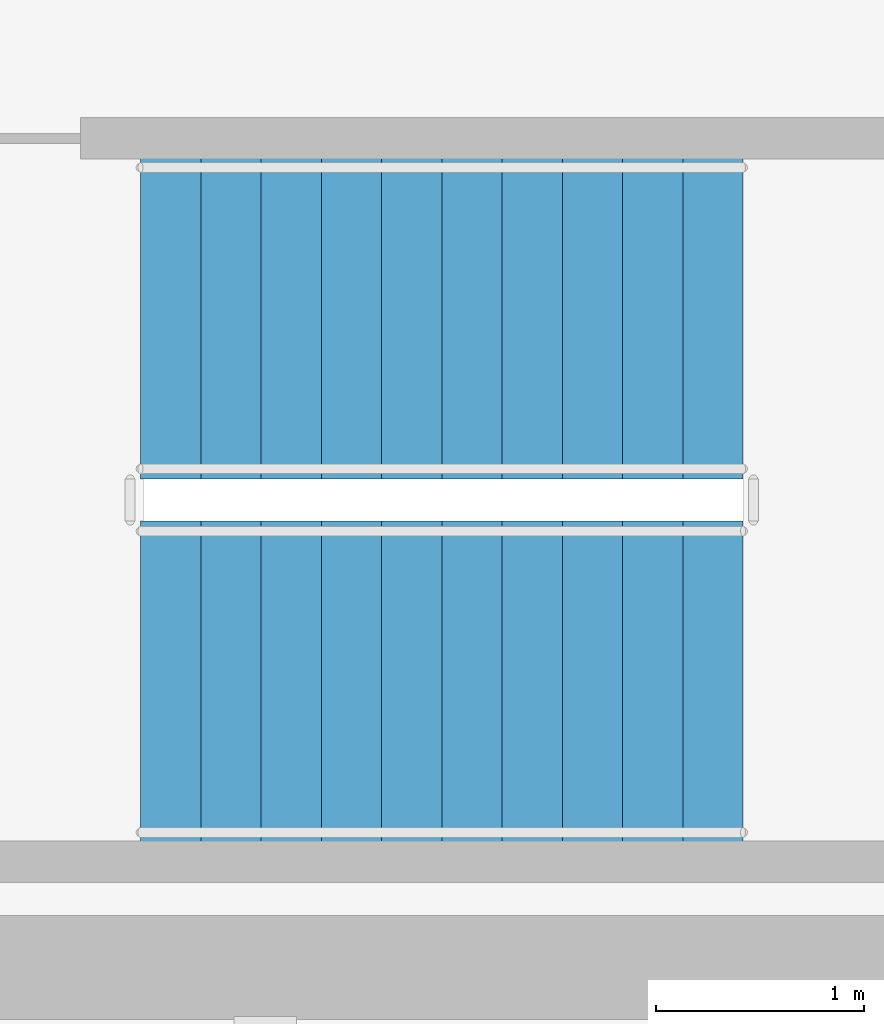
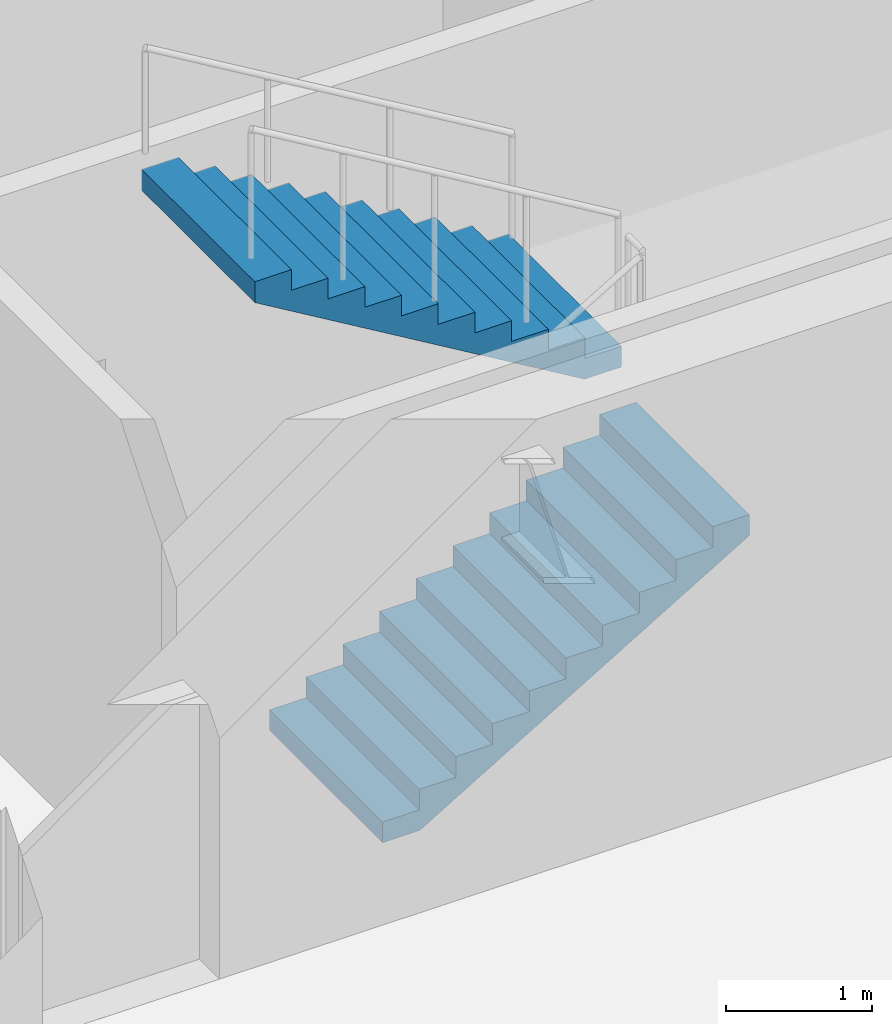
# One storey, part 20 of 24: 2 stair flights, 1 element without a shape of its own.
"""IFC4 building model written with IfcOpenShell, lengths in metres."""

from ifc_helpers import new_model, si_unit, direction, frame, origin, place, context, subcontext, project, spatial, polyline, outline, extrude, material, type_object, element, aggregate, save


model = new_model("IFC4")

# Units and contexts
model_context = context("Model", 3, precision=1e-05, world=origin(), true_north=direction((0.0, 1.0)))
body_context = subcontext(model_context, "Body", "Model", "MODEL_VIEW")
ifc_project = project(units=[si_unit("LENGTHUNIT", "METRE"), si_unit("AREAUNIT", "SQUARE_METRE"), si_unit("VOLUMEUNIT", "CUBIC_METRE"), si_unit("PLANEANGLEUNIT", "RADIAN"), si_unit("MASSUNIT", "GRAM", prefix="KILO")], contexts=[model_context])

# Site, building, storey
site_placement = place(None, origin())
site = spatial("IfcSite", under=ifc_project, at=site_placement, CompositionType="ELEMENT")
building_placement = place(site_placement, origin())
building = spatial("IfcBuilding", under=site, at=building_placement, Name="Putna Gate Headquarters", CompositionType="ELEMENT")
storey_placement = place(building_placement, frame((0.0, 0.0, 244.199951171875)))
storey = spatial("IfcBuildingStorey", under=building, at=storey_placement, Name="L61", CompositionType="ELEMENT", Elevation=244.199951171875)

# Stair, stair flights
ifc_material = material(Name="Concrete C40/50", Category="concrete")
stair_type = type_object("IfcStairType", Name="STAIR-ST2", PredefinedType="HALF_TURN_STAIR", material=ifc_material)
stair_placement = place(storey_placement, origin())
stair = element("IfcStair", 1, at=stair_placement, inside=storey, type_object=stair_type, Name="L61 East Core Exit Stair ST2", PredefinedType="HALF_TURN_STAIR")
stair_flight_type = type_object("IfcStairFlightType", Name="FLIGHT-ST2", PredefinedType="STRAIGHT", material=ifc_material)
stair_flight_1_placement = place(storey_placement, frame((57.89990234375, 20.375, 0.0), z_axis=(0.0, 0.0, 1.0), x_axis=(1.0, 0.0, 0.0)))
stair_flight_1 = element("IfcStairFlight", 2, at=stair_flight_1_placement, type_object=stair_flight_type, Name="ST2 flight 1", NumberOfRisers=11, NumberOfTreads=10, PredefinedType="STRAIGHT", RiserHeight=0.172727273, TreadLength=0.29, context=body_context, shape_type="SweptSolid", body=[
    extrude(outline(polyline([(0.0, 0.0), (0.0, 0.172607421875), (0.2900390625, 0.172607421875), (0.2900390625, 0.345458984375), (0.580078125, 0.345458984375), (0.580078125, 0.51806640625), (0.8701171875, 0.51806640625), (0.8701171875, 0.69091796875), (1.159912109375, 0.69091796875), (1.159912109375, 0.863525390625), (1.449951171875, 0.863525390625), (1.449951171875, 1.036376953125), (1.739990234375, 1.036376953125), (1.739990234375, 1.208984375), (2.030029296875, 1.208984375), (2.030029296875, 1.3818359375), (2.320068359375, 1.3818359375), (2.320068359375, 1.554443359375), (2.610107421875, 1.554443359375), (2.610107421875, 1.727294921875), (2.89990234375, 1.727294921875), (2.89990234375, 1.89990234375), (2.89990234375, 1.552734375), (0.29296875, 0.0), (0.0, 0.0)])), frame((0.0, 0.77490234375, 0.0), z_axis=(0.0, -1.0, 0.0), x_axis=(1.0, 0.0, 0.0)), (0.0, 0.0, 1.0), 1.550048828125),
])
stair_flight_2_placement = place(storey_placement, frame((60.800048828125, 22.125, 1.900146484375), z_axis=(0.0, 0.0, 1.0), x_axis=(-1.0, 0.0, 0.0)))
stair_flight_2 = element("IfcStairFlight", 3, at=stair_flight_2_placement, type_object=stair_flight_type, Name="ST2 flight 2", NumberOfRisers=11, NumberOfTreads=10, PredefinedType="STRAIGHT", RiserHeight=0.172727273, TreadLength=0.29, context=body_context, shape_type="SweptSolid", body=[
    extrude(outline(polyline([(0.0, 0.0), (0.0, 0.172607421875), (0.2900390625, 0.172607421875), (0.2900390625, 0.345458984375), (0.580078125, 0.345458984375), (0.580078125, 0.51806640625), (0.8701171875, 0.51806640625), (0.8701171875, 0.69091796875), (1.159912109375, 0.69091796875), (1.159912109375, 0.863525390625), (1.449951171875, 0.863525390625), (1.449951171875, 1.036376953125), (1.739990234375, 1.036376953125), (1.739990234375, 1.208984375), (2.030029296875, 1.208984375), (2.030029296875, 1.3818359375), (2.320068359375, 1.3818359375), (2.320068359375, 1.554443359375), (2.610107421875, 1.554443359375), (2.610107421875, 1.727294921875), (2.89990234375, 1.727294921875), (2.89990234375, 1.89990234375), (2.89990234375, 1.552734375), (0.29296875, 0.0), (0.0, 0.0)])), frame((0.0, 0.77490234375, 0.0), z_axis=(0.0, -1.0, 0.0), x_axis=(1.0, 0.0, 0.0)), (0.0, 0.0, 1.0), 1.550048828125),
])
aggregate(stair, [stair_flight_1, stair_flight_2])

save(model, "model.ifc")
